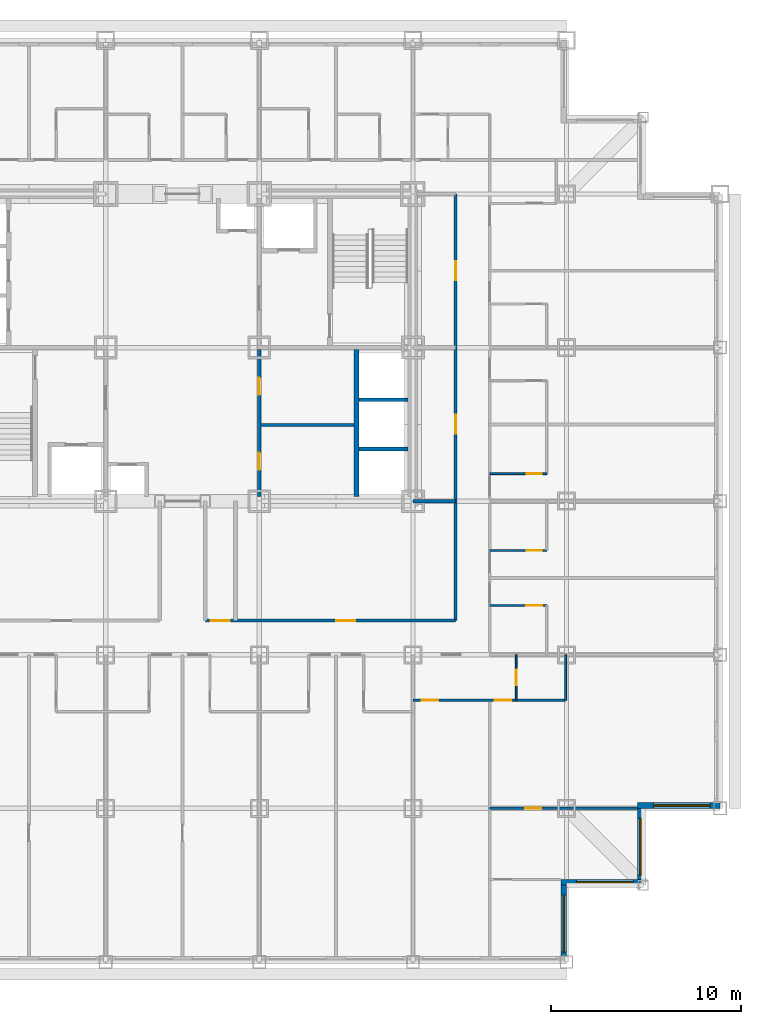
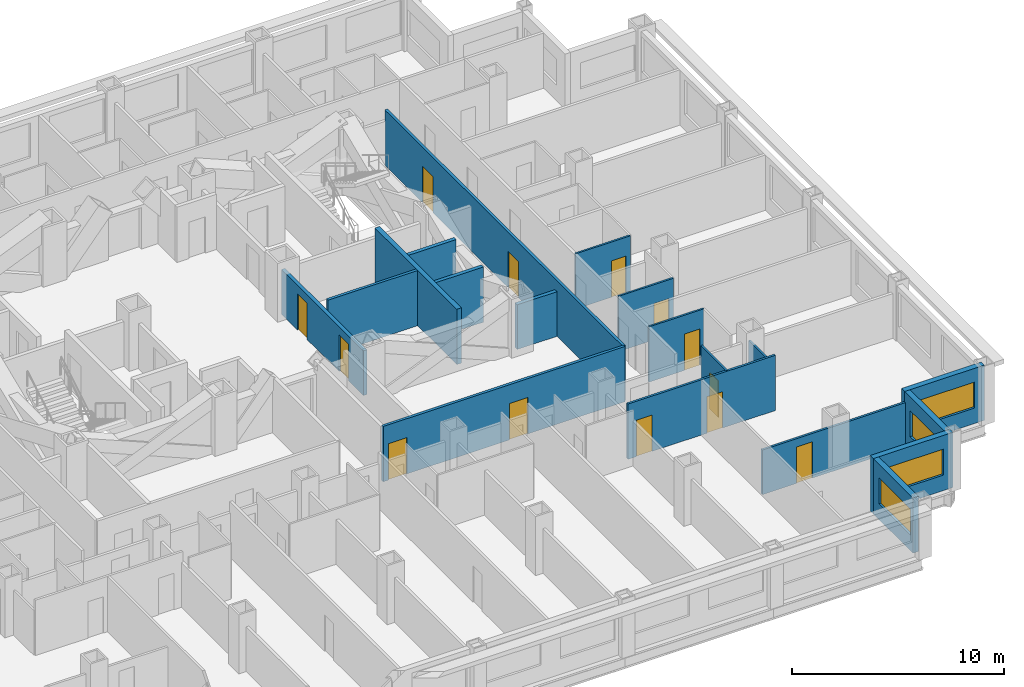
# One storey, part 6 of 11: 19 walls, 13 doors, 4 windows, 17 openings.
"""IFC4 building model written with IfcOpenShell, lengths in metres."""

from ifc_helpers import new_model, si_unit, direction, frame, frame_2d, origin, place, context, subcontext, project, spatial, rectangle, extrude, material, layer, layer_set, type_object, element, fill, save


model = new_model("IFC4")

# Units and contexts
model_context = context("Model", 3, precision=1e-05, world=origin(), true_north=direction((0.0, 1.0)))
body_context = subcontext(model_context, "Body", "Model", "MODEL_VIEW")
ifc_project = project(units=[si_unit("LENGTHUNIT", "METRE"), si_unit("AREAUNIT", "SQUARE_METRE"), si_unit("VOLUMEUNIT", "CUBIC_METRE"), si_unit("PLANEANGLEUNIT", "RADIAN"), si_unit("MASSUNIT", "GRAM", prefix="KILO")], contexts=[model_context])

# Site, building, storey
site_placement = place(None, origin())
site = spatial("IfcSite", under=ifc_project, at=site_placement, CompositionType="ELEMENT")
building_placement = place(site_placement, origin())
building = spatial("IfcBuilding", under=site, at=building_placement, Name="Kopane Lantern Tower", CompositionType="ELEMENT")
storey_placement = place(building_placement, frame((0.0, 0.0, 33.0)))
storey = spatial("IfcBuildingStorey", under=building, at=storey_placement, Name="L06", CompositionType="ELEMENT", Elevation=33.0)

# Wall, openings, doors
ifc_material_1 = material(Name="Gypsum board on steel studs", Category="steel")
ifc_layer_1 = layer(ifc_material_1, 0.1201171875)
ifc_layer_set_1 = layer_set([ifc_layer_1], Name="APARTMENT INTERNAL WALL 120")
wall_type_1 = type_object("IfcWallType", Name="APARTMENT INTERNAL WALL 120", PredefinedType="PARTITIONING", material=ifc_layer_set_1)
wall_1_placement = place(storey_placement, frame((40.5, 13.800048828125, 0.0), z_axis=(0.0, 0.0, 1.0), x_axis=(1.0, 0.0, 0.0)))
wall_1 = element("IfcWall", 1, at=wall_1_placement, inside=storey, type_object=wall_type_1, Name="Apartment Internal Wall 120 L06", PredefinedType="PARTITIONING", context=body_context, shape_type="SweptSolid", body=[
    extrude(rectangle(XDim=8.050048828125, YDim=0.1201171875, at=frame_2d((4.02490234375, 0.0))), origin(), (0.0, 0.0, 1.0), 3.18994140625),
])
opening_1_placement = place(wall_1_placement, frame((0.47509765625, 0.0, 0.0)))
opening_1 = element("IfcOpeningElement", 2, at=opening_1_placement, cuts=wall_1, Name="Opening L06-065", PredefinedType="OPENING", context=body_context, shape_type="SweptSolid", body=[
    extrude(rectangle(XDim=0.85009765625, YDim=2.10009765625, at=frame_2d((0.425048828125, 1.050048828125))), frame((0.0, 0.070068359375, 0.0), z_axis=(0.0, -1.0, 0.0), x_axis=(1.0, 0.0, 0.0)), (0.0, 0.0, 1.0), 0.14013671875),
])
opening_2_placement = place(wall_1_placement, frame((4.324951171875, 0.0, 0.0)))
opening_2 = element("IfcOpeningElement", 3, at=opening_2_placement, cuts=wall_1, Name="Opening L06-067", PredefinedType="OPENING", context=body_context, shape_type="SweptSolid", body=[
    extrude(rectangle(XDim=0.85009765625, YDim=2.10009765625, at=frame_2d((0.425048828125, 1.050048828125))), frame((0.0, 0.070068359375, 0.0), z_axis=(0.0, -1.0, 0.0), x_axis=(1.0, 0.0, 0.0)), (0.0, 0.0, 1.0), 0.14013671875),
])
ifc_material_2 = material(Name="Timber door set", Category="wood")
door_type_1 = type_object("IfcDoorType", Name="DOOR D4 850x2100", OperationType="SINGLE_SWING_LEFT", PredefinedType="DOOR", material=ifc_material_2)
door_1_placement = place(opening_1_placement, origin())
door_1 = element("IfcDoor", 4, at=door_1_placement, inside=storey, type_object=door_type_1, Name="Door L06-065", OperationType="SINGLE_SWING_LEFT", OverallHeight=2.10009765625, OverallWidth=0.85009765625, PredefinedType="DOOR", context=body_context, shape_type="SweptSolid", body=[
    extrude(rectangle(XDim=0.85009765625, YDim=2.10009765625, at=frame_2d((0.425048828125, 1.050048828125))), frame((0.0, 0.02490234375, 0.0), z_axis=(0.0, -1.0, 0.0), x_axis=(1.0, 0.0, 0.0)), (0.0, 0.0, 1.0), 0.050048828125),
])
fill(opening_1, door_1)
door_2_placement = place(opening_2_placement, origin())
door_2 = element("IfcDoor", 5, at=door_2_placement, inside=storey, type_object=door_type_1, Name="Door L06-067", OperationType="SINGLE_SWING_RIGHT", OverallHeight=2.10009765625, OverallWidth=0.85009765625, PredefinedType="DOOR", context=body_context, shape_type="SweptSolid", body=[
    extrude(rectangle(XDim=0.85009765625, YDim=2.10009765625, at=frame_2d((0.425048828125, 1.050048828125))), frame((0.0, 0.02490234375, 0.0), z_axis=(0.0, -1.0, 0.0), x_axis=(1.0, 0.0, 0.0)), (0.0, 0.0, 1.0), 0.050048828125),
])
fill(opening_2, door_2)

# Wall, opening, door
wall_2_placement = place(storey_placement, frame((44.550048828125, 8.10009765625, 0.0), z_axis=(0.0, 0.0, 1.0), x_axis=(1.0, 0.0, 0.0)))
wall_2 = element("IfcWall", 6, at=wall_2_placement, inside=storey, type_object=wall_type_1, Name="Apartment Internal Wall 120 L06", PredefinedType="PARTITIONING", context=body_context, shape_type="SweptSolid", body=[
    extrude(rectangle(XDim=7.800048828125, YDim=0.1201171875, at=frame_2d((3.89990234375, 0.0))), origin(), (0.0, 0.0, 1.0), 2.577880859375),
])
opening_3_placement = place(wall_2_placement, frame((1.875, 0.0, 0.0)))
opening_3 = element("IfcOpeningElement", 7, at=opening_3_placement, cuts=wall_2, Name="Opening L06-068", PredefinedType="OPENING", context=body_context, shape_type="SweptSolid", body=[
    extrude(rectangle(XDim=0.85009765625, YDim=2.10009765625, at=frame_2d((0.425048828125, 1.050048828125))), frame((0.0, 0.070068359375, 0.0), z_axis=(0.0, -1.0, 0.0), x_axis=(1.0, 0.0, 0.0)), (0.0, 0.0, 1.0), 0.14013671875),
])
door_3_placement = place(opening_3_placement, origin())
door_3 = element("IfcDoor", 8, at=door_3_placement, inside=storey, type_object=door_type_1, Name="Door L06-068", OperationType="SINGLE_SWING_LEFT", OverallHeight=2.10009765625, OverallWidth=0.85009765625, PredefinedType="DOOR", context=body_context, shape_type="SweptSolid", body=[
    extrude(rectangle(XDim=0.85009765625, YDim=2.10009765625, at=frame_2d((0.425048828125, 1.050048828125))), frame((0.0, 0.02490234375, 0.0), z_axis=(0.0, -1.0, 0.0), x_axis=(1.0, 0.0, 0.0)), (0.0, 0.0, 1.0), 0.050048828125),
])
fill(opening_3, door_3)

ifc_material_3 = material(Name="Moisture-resistant board on steel studs", Category="steel")
ifc_layer_2 = layer(ifc_material_3, 0.10009765625)
ifc_layer_set_2 = layer_set([ifc_layer_2], Name="BATHROOM WALL 100")
wall_type_2 = type_object("IfcWallType", Name="BATHROOM WALL 100", PredefinedType="PARTITIONING", material=ifc_layer_set_2)
wall_3_placement = place(storey_placement, frame((44.550048828125, 18.800048828125, 0.0), z_axis=(0.0, 0.0, 1.0), x_axis=(1.0, 0.0, 0.0)))
wall_3 = element("IfcWall", 9, at=wall_3_placement, inside=storey, type_object=wall_type_2, Name="Bathroom Wall 100 L06", PredefinedType="PARTITIONING", context=body_context, shape_type="SweptSolid", body=[
    extrude(rectangle(XDim=3.0, YDim=0.10009765625, at=frame_2d((1.5, 0.0))), origin(), (0.0, 0.0, 1.0), 3.18994140625),
])
opening_4_placement = place(wall_3_placement, frame((1.925048828125, 0.0, 0.0)))
opening_4 = element("IfcOpeningElement", 10, at=opening_4_placement, cuts=wall_3, Name="Opening L06-047", PredefinedType="OPENING", context=body_context, shape_type="SweptSolid", body=[
    extrude(rectangle(XDim=0.85009765625, YDim=2.10009765625, at=frame_2d((0.425048828125, 1.050048828125))), frame((0.0, 0.06005859375, 0.0), z_axis=(0.0, -1.0, 0.0), x_axis=(1.0, 0.0, 0.0)), (0.0, 0.0, 1.0), 0.1201171875),
])
door_4_placement = place(opening_4_placement, origin())
door_4 = element("IfcDoor", 11, at=door_4_placement, inside=storey, type_object=door_type_1, Name="Door L06-047", OperationType="SINGLE_SWING_LEFT", OverallHeight=2.10009765625, OverallWidth=0.85009765625, PredefinedType="DOOR", context=body_context, shape_type="SweptSolid", body=[
    extrude(rectangle(XDim=0.85009765625, YDim=2.10009765625, at=frame_2d((0.425048828125, 1.050048828125))), frame((0.0, 0.02490234375, 0.0), z_axis=(0.0, -1.0, 0.0), x_axis=(1.0, 0.0, 0.0)), (0.0, 0.0, 1.0), 0.050048828125),
])
fill(opening_4, door_4)

wall_4_placement = place(storey_placement, frame((44.550048828125, 21.699951171875, 0.0), z_axis=(0.0, 0.0, 1.0), x_axis=(1.0, 0.0, 0.0)))
wall_4 = element("IfcWall", 12, at=wall_4_placement, inside=storey, type_object=wall_type_2, Name="Bathroom Wall 100 L06", PredefinedType="PARTITIONING", context=body_context, shape_type="SweptSolid", body=[
    extrude(rectangle(XDim=3.0, YDim=0.10009765625, at=frame_2d((1.5, 0.0))), origin(), (0.0, 0.0, 1.0), 3.18994140625),
])
opening_5_placement = place(wall_4_placement, frame((1.949951171875, 0.0, 0.0)))
opening_5 = element("IfcOpeningElement", 13, at=opening_5_placement, cuts=wall_4, Name="Opening L06-049", PredefinedType="OPENING", context=body_context, shape_type="SweptSolid", body=[
    extrude(rectangle(XDim=0.800048828125, YDim=2.10009765625, at=frame_2d((0.39990234375, 1.050048828125))), frame((0.0, 0.06005859375, 0.0), z_axis=(0.0, -1.0, 0.0), x_axis=(1.0, 0.0, 0.0)), (0.0, 0.0, 1.0), 0.1201171875),
])
ifc_material_4 = material(Name="Timber door set", Category="wood")
door_type_2 = type_object("IfcDoorType", Name="DOOR D2 800x2100", OperationType="SINGLE_SWING_LEFT", PredefinedType="DOOR", material=ifc_material_4)
door_5_placement = place(opening_5_placement, origin())
door_5 = element("IfcDoor", 14, at=door_5_placement, inside=storey, type_object=door_type_2, Name="Door L06-049", OperationType="SINGLE_SWING_RIGHT", OverallHeight=2.10009765625, OverallWidth=0.800048828125, PredefinedType="DOOR", context=body_context, shape_type="SweptSolid", body=[
    extrude(rectangle(XDim=0.800048828125, YDim=2.10009765625, at=frame_2d((0.39990234375, 1.050048828125))), frame((0.0, 0.02490234375, 0.0), z_axis=(0.0, -1.0, 0.0), x_axis=(1.0, 0.0, 0.0)), (0.0, 0.0, 1.0), 0.050048828125),
])
fill(opening_5, door_5)

wall_5_placement = place(storey_placement, frame((44.550048828125, 25.75, 0.0), z_axis=(0.0, 0.0, 1.0), x_axis=(1.0, 0.0, 0.0)))
wall_5 = element("IfcWall", 15, at=wall_5_placement, inside=storey, type_object=wall_type_2, Name="Bathroom Wall 100 L06", PredefinedType="PARTITIONING", context=body_context, shape_type="SweptSolid", body=[
    extrude(rectangle(XDim=3.0, YDim=0.10009765625, at=frame_2d((1.5, 0.0))), origin(), (0.0, 0.0, 1.0), 3.18994140625),
])
opening_6_placement = place(wall_5_placement, frame((1.949951171875, 0.0, 0.0)))
opening_6 = element("IfcOpeningElement", 16, at=opening_6_placement, cuts=wall_5, Name="Opening L06-051", PredefinedType="OPENING", context=body_context, shape_type="SweptSolid", body=[
    extrude(rectangle(XDim=0.800048828125, YDim=2.10009765625, at=frame_2d((0.39990234375, 1.050048828125))), frame((0.0, 0.06005859375, 0.0), z_axis=(0.0, -1.0, 0.0), x_axis=(1.0, 0.0, 0.0)), (0.0, 0.0, 1.0), 0.1201171875),
])
door_6_placement = place(opening_6_placement, origin())
door_6 = element("IfcDoor", 17, at=door_6_placement, inside=storey, type_object=door_type_2, Name="Door L06-051", OperationType="SINGLE_SWING_RIGHT", OverallHeight=2.10009765625, OverallWidth=0.800048828125, PredefinedType="DOOR", context=body_context, shape_type="SweptSolid", body=[
    extrude(rectangle(XDim=0.800048828125, YDim=2.10009765625, at=frame_2d((0.39990234375, 1.050048828125))), frame((0.0, 0.02490234375, 0.0), z_axis=(0.0, -1.0, 0.0), x_axis=(1.0, 0.0, 0.0)), (0.0, 0.0, 1.0), 0.050048828125),
])
fill(opening_6, door_6)

wall_6_placement = place(storey_placement, frame((45.949951171875, 16.199951171875, 0.0), z_axis=(0.0, 0.0, 1.0), x_axis=(0.0, -1.0, 0.0)))
wall_6 = element("IfcWall", 18, at=wall_6_placement, inside=storey, type_object=wall_type_2, Name="Bathroom Wall 100 L06", PredefinedType="PARTITIONING", context=body_context, shape_type="SweptSolid", body=[
    extrude(rectangle(XDim=2.39990234375, YDim=0.10009765625, at=frame_2d((1.199951171875, 0.0))), origin(), (0.0, 0.0, 1.0), 3.18994140625),
])
opening_7_placement = place(wall_6_placement, frame((0.800048828125, 0.0, 0.0)))
opening_7 = element("IfcOpeningElement", 19, at=opening_7_placement, cuts=wall_6, Name="Opening L06-066", PredefinedType="OPENING", context=body_context, shape_type="SweptSolid", body=[
    extrude(rectangle(XDim=0.800048828125, YDim=2.10009765625, at=frame_2d((0.39990234375, 1.050048828125))), frame((0.0, 0.06005859375, 0.0), z_axis=(0.0, -1.0, 0.0), x_axis=(1.0, 0.0, 0.0)), (0.0, 0.0, 1.0), 0.1201171875),
])
door_7_placement = place(opening_7_placement, origin())
door_7 = element("IfcDoor", 20, at=door_7_placement, inside=storey, type_object=door_type_2, Name="Door L06-066", OperationType="SINGLE_SWING_LEFT", OverallHeight=2.10009765625, OverallWidth=0.800048828125, PredefinedType="DOOR", context=body_context, shape_type="SweptSolid", body=[
    extrude(rectangle(XDim=0.800048828125, YDim=2.10009765625, at=frame_2d((0.39990234375, 1.050048828125))), frame((0.0, 0.02490234375, 0.0), z_axis=(0.0, -1.0, 0.0), x_axis=(1.0, 0.0, 0.0)), (0.0, 0.0, 1.0), 0.050048828125),
])
fill(opening_7, door_7)

# Walls
wall_7_placement = place(storey_placement, frame((48.550048828125, 16.199951171875, 0.0), z_axis=(0.0, 0.0, 1.0), x_axis=(0.0, -1.0, 0.0)))
element("IfcWall", 21, at=wall_7_placement, inside=storey, type_object=wall_type_2, Name="Bathroom Wall 100 L06", PredefinedType="PARTITIONING", context=body_context, shape_type="SweptSolid", body=[
    extrude(rectangle(XDim=2.39990234375, YDim=0.10009765625, at=frame_2d((1.199951171875, 0.0))), origin(), (0.0, 0.0, 1.0), 2.577880859375),
])
ifc_material_5 = material(Name="Gypsum partition EI 60", Category="gypsum")
ifc_layer_3 = layer(ifc_material_5, 0.14990234375)
ifc_layer_set_3 = layer_set([ifc_layer_3], Name="CORE ROOM PARTITION 150 EI 60")
wall_type_3 = type_object("IfcWallType", Name="CORE ROOM PARTITION 150 EI 60", PredefinedType="PARTITIONING", material=ifc_layer_set_3)
wall_8_placement = place(storey_placement, frame((32.5, 28.324951171875, 0.0), z_axis=(0.0, 0.0, 1.0), x_axis=(1.0, 0.0, 0.0)))
element("IfcWall", 22, at=wall_8_placement, inside=storey, type_object=wall_type_3, Name="Core room partition L06 E1", PredefinedType="PARTITIONING", context=body_context, shape_type="SweptSolid", body=[
    extrude(rectangle(XDim=4.89990234375, YDim=0.14990234375, at=frame_2d((2.449951171875, 0.0))), origin(), (0.0, 0.0, 1.0), 3.18994140625),
])

# Wall, openings, doors
ifc_material_6 = material(Name="Gypsum partition EI 60", Category="gypsum")
ifc_layer_4 = layer(ifc_material_6, 0.199951171875)
ifc_layer_set_4 = layer_set([ifc_layer_4], Name="CORE ROOM WALL 200 EI 60")
wall_type_4 = type_object("IfcWallType", Name="CORE ROOM WALL 200 EI 60", PredefinedType="PARTITIONING", material=ifc_layer_set_4)
wall_9_placement = place(storey_placement, frame((32.39990234375, 24.550048828125, 0.0), z_axis=(0.0, 0.0, 1.0), x_axis=(0.0, 1.0, 0.0)))
wall_9 = element("IfcWall", 23, at=wall_9_placement, inside=storey, type_object=wall_type_4, Name="Core room wall L06 XE", PredefinedType="PARTITIONING", context=body_context, shape_type="SweptSolid", body=[
    extrude(rectangle(XDim=7.75, YDim=0.199951171875, at=frame_2d((3.875, 0.0))), origin(), (0.0, 0.0, 1.0), 2.577880859375),
])
opening_8_placement = place(wall_9_placement, frame((1.39990234375, 0.0, 0.0)))
opening_8 = element("IfcOpeningElement", 24, at=opening_8_placement, cuts=wall_9, Name="Opening 06.C20", PredefinedType="OPENING", context=body_context, shape_type="SweptSolid", body=[
    extrude(rectangle(XDim=0.89990234375, YDim=2.10009765625, at=frame_2d((0.449951171875, 1.050048828125))), frame((0.0, 0.10986328125, 0.0), z_axis=(0.0, -1.0, 0.0), x_axis=(1.0, 0.0, 0.0)), (0.0, 0.0, 1.0), 0.219970703125),
])
opening_9_placement = place(wall_9_placement, frame((5.35009765625, 0.0, 0.0)))
opening_9 = element("IfcOpeningElement", 25, at=opening_9_placement, cuts=wall_9, Name="Opening 06.C21", PredefinedType="OPENING", context=body_context, shape_type="SweptSolid", body=[
    extrude(rectangle(XDim=0.89990234375, YDim=2.10009765625, at=frame_2d((0.449951171875, 1.050048828125))), frame((0.0, 0.10986328125, 0.0), z_axis=(0.0, -1.0, 0.0), x_axis=(1.0, 0.0, 0.0)), (0.0, 0.0, 1.0), 0.219970703125),
])
ifc_material_7 = material(Name="Steel door set", Category="steel")
door_type_3 = type_object("IfcDoorType", Name="CORE ROOM DOOR 900x2100 FD60", OperationType="SINGLE_SWING_LEFT", PredefinedType="DOOR", material=ifc_material_7)
door_8_placement = place(opening_8_placement, origin())
door_8 = element("IfcDoor", 26, at=door_8_placement, inside=storey, type_object=door_type_3, Name="Door Linen store L06", OperationType="SINGLE_SWING_LEFT", OverallHeight=2.10009765625, OverallWidth=0.89990234375, PredefinedType="DOOR", context=body_context, shape_type="SweptSolid", body=[
    extrude(rectangle(XDim=0.89990234375, YDim=2.10009765625, at=frame_2d((0.449951171875, 1.050048828125))), frame((0.0, 0.02490234375, 0.0), z_axis=(0.0, -1.0, 0.0), x_axis=(1.0, 0.0, 0.0)), (0.0, 0.0, 1.0), 0.050048828125),
])
fill(opening_8, door_8)
door_9_placement = place(opening_9_placement, origin())
door_9 = element("IfcDoor", 27, at=door_9_placement, inside=storey, type_object=door_type_3, Name="Door Housekeeping store L06", OperationType="SINGLE_SWING_LEFT", OverallHeight=2.10009765625, OverallWidth=0.89990234375, PredefinedType="DOOR", context=body_context, shape_type="SweptSolid", body=[
    extrude(rectangle(XDim=0.89990234375, YDim=2.10009765625, at=frame_2d((0.449951171875, 1.050048828125))), frame((0.0, 0.02490234375, 0.0), z_axis=(0.0, -1.0, 0.0), x_axis=(1.0, 0.0, 0.0)), (0.0, 0.0, 1.0), 0.050048828125),
])
fill(opening_9, door_9)

# Wall
ifc_material_8 = material(Name="Gypsum shaft wall EI 120", Category="gypsum")
ifc_layer_5 = layer(ifc_material_8, 0.25)
ifc_layer_set_5 = layer_set([ifc_layer_5], Name="CORE SHAFT WALL 250 EI 120")
wall_type_5 = type_object("IfcWallType", Name="CORE SHAFT WALL 250 EI 120", PredefinedType="SOLIDWALL", material=ifc_layer_set_5)
wall_10_placement = place(storey_placement, frame((37.52490234375, 24.550048828125, 0.0), z_axis=(0.0, 0.0, 1.0), x_axis=(0.0, 1.0, 0.0)))
element("IfcWall", 28, at=wall_10_placement, inside=storey, type_object=wall_type_5, Name="Core shaft wall L06 XLR", PredefinedType="SOLIDWALL", context=body_context, shape_type="SweptSolid", body=[
    extrude(rectangle(XDim=7.75, YDim=0.25, at=frame_2d((3.875, 0.0))), origin(), (0.0, 0.0, 1.0), 3.18994140625),
])

# Wall, openings, doors
ifc_material_9 = material(Name="Gypsum board on steel studs", Category="steel")
ifc_layer_6 = layer(ifc_material_9, 0.14990234375)
ifc_layer_set_6 = layer_set([ifc_layer_6], Name="CORRIDOR WALL 150 EI 60")
wall_type_6 = type_object("IfcWallType", Name="CORRIDOR WALL 150 EI 60", PredefinedType="PARTITIONING", material=ifc_layer_set_6)
wall_11_placement = place(storey_placement, frame((42.75, 18.0, 0.0), z_axis=(0.0, 0.0, 1.0), x_axis=(0.0, 1.0, 0.0)))
wall_11 = element("IfcWall", 29, at=wall_11_placement, inside=storey, type_object=wall_type_6, Name="Corridor Wall 150 Ei 60 L06", PredefinedType="PARTITIONING", context=body_context, shape_type="SweptSolid", body=[
    extrude(rectangle(XDim=22.5, YDim=0.14990234375, at=frame_2d((11.25, 0.0))), origin(), (0.0, 0.0, 1.0), 3.18994140625),
])
opening_10_placement = place(wall_11_placement, frame((9.85009765625, 0.0, 0.0)))
opening_10 = element("IfcOpeningElement", 30, at=opening_10_placement, cuts=wall_11, Name="Opening L06-003", PredefinedType="OPENING", context=body_context, shape_type="SweptSolid", body=[
    extrude(rectangle(XDim=1.0, YDim=2.10009765625, at=frame_2d((0.5, 1.050048828125))), frame((0.0, 0.0849609375, 0.0), z_axis=(0.0, -1.0, 0.0), x_axis=(1.0, 0.0, 0.0)), (0.0, 0.0, 1.0), 0.169921875),
])
opening_11_placement = place(wall_11_placement, frame((17.949951171875, 0.0, 0.0)))
opening_11 = element("IfcOpeningElement", 31, at=opening_11_placement, cuts=wall_11, Name="Opening L06-004", PredefinedType="OPENING", context=body_context, shape_type="SweptSolid", body=[
    extrude(rectangle(XDim=1.0, YDim=2.10009765625, at=frame_2d((0.5, 1.050048828125))), frame((0.0, 0.0849609375, 0.0), z_axis=(0.0, -1.0, 0.0), x_axis=(1.0, 0.0, 0.0)), (0.0, 0.0, 1.0), 0.169921875),
])
ifc_material_10 = material(Name="Steel door set", Category="steel")
door_type_4 = type_object("IfcDoorType", Name="DOOR D5 1000x2100 FD60", OperationType="SINGLE_SWING_LEFT", PredefinedType="DOOR", material=ifc_material_10)
door_10_placement = place(opening_10_placement, origin())
door_10 = element("IfcDoor", 32, at=door_10_placement, inside=storey, type_object=door_type_4, Name="Door L06-003", OperationType="SINGLE_SWING_LEFT", OverallHeight=2.10009765625, OverallWidth=1.0, PredefinedType="DOOR", context=body_context, shape_type="SweptSolid", body=[
    extrude(rectangle(XDim=1.0, YDim=2.10009765625, at=frame_2d((0.5, 1.050048828125))), frame((0.0, 0.02490234375, 0.0), z_axis=(0.0, -1.0, 0.0), x_axis=(1.0, 0.0, 0.0)), (0.0, 0.0, 1.0), 0.050048828125),
])
fill(opening_10, door_10)
door_11_placement = place(opening_11_placement, origin())
door_11 = element("IfcDoor", 33, at=door_11_placement, inside=storey, type_object=door_type_4, Name="Door L06-004", OperationType="SINGLE_SWING_RIGHT", OverallHeight=2.10009765625, OverallWidth=1.0, PredefinedType="DOOR", context=body_context, shape_type="SweptSolid", body=[
    extrude(rectangle(XDim=1.0, YDim=2.10009765625, at=frame_2d((0.5, 1.050048828125))), frame((0.0, 0.02490234375, 0.0), z_axis=(0.0, -1.0, 0.0), x_axis=(1.0, 0.0, 0.0)), (0.0, 0.0, 1.0), 0.050048828125),
])
fill(opening_11, door_11)

wall_12_placement = place(storey_placement, frame((29.56005859375, 18.0, 0.0), z_axis=(0.0, 0.0, 1.0), x_axis=(1.0, 0.0, 0.0)))
wall_12 = element("IfcWall", 34, at=wall_12_placement, inside=storey, type_object=wall_type_6, Name="Corridor Wall 150 Ei 60 L06", PredefinedType="PARTITIONING", context=body_context, shape_type="SweptSolid", body=[
    extrude(rectangle(XDim=13.18994140625, YDim=0.14990234375, at=frame_2d((6.594970703125, 0.0))), origin(), (0.0, 0.0, 1.0), 3.18994140625),
])
opening_12_placement = place(wall_12_placement, frame((0.2900390625, 0.0, 0.0)))
opening_12 = element("IfcOpeningElement", 35, at=opening_12_placement, cuts=wall_12, Name="Opening L06-007", PredefinedType="OPENING", context=body_context, shape_type="SweptSolid", body=[
    extrude(rectangle(XDim=1.0, YDim=2.10009765625, at=frame_2d((0.5, 1.050048828125))), frame((0.0, 0.0849609375, 0.0), z_axis=(0.0, -1.0, 0.0), x_axis=(1.0, 0.0, 0.0)), (0.0, 0.0, 1.0), 0.169921875),
])
opening_13_placement = place(wall_12_placement, frame((6.889892578125, 0.0, 0.0)))
opening_13 = element("IfcOpeningElement", 36, at=opening_13_placement, cuts=wall_12, Name="Opening L06-008", PredefinedType="OPENING", context=body_context, shape_type="SweptSolid", body=[
    extrude(rectangle(XDim=1.0, YDim=2.10009765625, at=frame_2d((0.5, 1.050048828125))), frame((0.0, 0.0849609375, 0.0), z_axis=(0.0, -1.0, 0.0), x_axis=(1.0, 0.0, 0.0)), (0.0, 0.0, 1.0), 0.169921875),
])
door_12_placement = place(opening_12_placement, origin())
door_12 = element("IfcDoor", 37, at=door_12_placement, inside=storey, type_object=door_type_4, Name="Door L06-007", OperationType="SINGLE_SWING_LEFT", OverallHeight=2.10009765625, OverallWidth=1.0, PredefinedType="DOOR", context=body_context, shape_type="SweptSolid", body=[
    extrude(rectangle(XDim=1.0, YDim=2.10009765625, at=frame_2d((0.5, 1.050048828125))), frame((0.0, 0.02490234375, 0.0), z_axis=(0.0, -1.0, 0.0), x_axis=(1.0, 0.0, 0.0)), (0.0, 0.0, 1.0), 0.050048828125),
])
fill(opening_12, door_12)
door_13_placement = place(opening_13_placement, origin())
door_13 = element("IfcDoor", 38, at=door_13_placement, inside=storey, type_object=door_type_4, Name="Door L06-008", OperationType="SINGLE_SWING_RIGHT", OverallHeight=2.10009765625, OverallWidth=1.0, PredefinedType="DOOR", context=body_context, shape_type="SweptSolid", body=[
    extrude(rectangle(XDim=1.0, YDim=2.10009765625, at=frame_2d((0.5, 1.050048828125))), frame((0.0, 0.02490234375, 0.0), z_axis=(0.0, -1.0, 0.0), x_axis=(1.0, 0.0, 0.0)), (0.0, 0.0, 1.0), 0.050048828125),
])
fill(opening_13, door_13)

# Wall, opening, window
ifc_material_11 = material(Name="Terracotta rainscreen on light steel framing", Category="masonry")
ifc_layer_7 = layer(ifc_material_11, 0.300048828125)
ifc_layer_set_7 = layer_set([ifc_layer_7], Name="EXTERNAL WALL EW1 300 TERRACOTTA")
wall_type_7 = type_object("IfcWallType", Name="EXTERNAL WALL EW1 300 TERRACOTTA", PredefinedType="SOLIDWALL", material=ifc_layer_set_7)
wall_13_placement = place(storey_placement, frame((48.449951171875, 0.300048828125, 0.0), z_axis=(0.0, 0.0, 1.0), x_axis=(0.0, 1.0, 0.0)))
wall_13 = element("IfcWall", 39, at=wall_13_placement, inside=storey, type_object=wall_type_7, Name="External wall E L06", PredefinedType="SOLIDWALL", context=body_context, shape_type="SweptSolid", body=[
    extrude(rectangle(XDim=3.75, YDim=0.300048828125, at=frame_2d((1.875, 0.0))), origin(), (0.0, 0.0, 1.0), 3.18994140625),
])
opening_14_placement = place(wall_13_placement, frame((0.22509765625, 0.0, 0.89990234375)))
opening_14 = element("IfcOpeningElement", 40, at=opening_14_placement, cuts=wall_13, Name="Opening WR300150", PredefinedType="OPENING", context=body_context, shape_type="SweptSolid", body=[
    extrude(rectangle(XDim=3.0, YDim=1.5, at=frame_2d((1.5, 0.75))), frame((0.0, 0.159912109375, 0.0), z_axis=(0.0, -1.0, 0.0), x_axis=(1.0, 0.0, 0.0)), (0.0, 0.0, 1.0), 0.320068359375),
])
ifc_material_12 = material(Name="Aluminium and clear glass", Category="aluminium")
window_type = type_object("IfcWindowType", Name="RIBBON WINDOW WR300150 3000x1500", PartitioningType="SINGLE_PANEL", PredefinedType="WINDOW", material=ifc_material_12)
window_1_placement = place(opening_14_placement, origin())
window_1 = element("IfcWindow", 41, at=window_1_placement, inside=storey, type_object=window_type, Name="Window E L06", OverallHeight=1.5, OverallWidth=3.0, PartitioningType="SINGLE_PANEL", PredefinedType="WINDOW", context=body_context, shape_type="SweptSolid", body=[
    extrude(rectangle(XDim=3.0, YDim=1.5, at=frame_2d((1.5, 0.75))), frame((0.0, 0.030029296875, 0.0), z_axis=(0.0, -1.0, 0.0), x_axis=(1.0, 0.0, 0.0)), (0.0, 0.0, 1.0), 0.06005859375),
])
fill(opening_14, window_1)

wall_14_placement = place(storey_placement, frame((48.300048828125, 4.199951171875, 0.0), z_axis=(0.0, 0.0, 1.0), x_axis=(1.0, 0.0, 0.0)))
wall_14 = element("IfcWall", 42, at=wall_14_placement, inside=storey, type_object=wall_type_7, Name="External wall S L06", PredefinedType="SOLIDWALL", context=body_context, shape_type="SweptSolid", body=[
    extrude(rectangle(XDim=4.349853515625, YDim=0.300048828125, at=frame_2d((2.1748046875, 0.0))), origin(), (0.0, 0.0, 1.0), 3.18994140625),
])
opening_15_placement = place(wall_14_placement, frame((0.824951171875, 0.0, 0.89990234375)))
opening_15 = element("IfcOpeningElement", 43, at=opening_15_placement, cuts=wall_14, Name="Opening WR300150", PredefinedType="OPENING", context=body_context, shape_type="SweptSolid", body=[
    extrude(rectangle(XDim=3.0, YDim=1.5, at=frame_2d((1.5, 0.75))), frame((0.0, 0.159912109375, 0.0), z_axis=(0.0, -1.0, 0.0), x_axis=(1.0, 0.0, 0.0)), (0.0, 0.0, 1.0), 0.320068359375),
])
window_2_placement = place(opening_15_placement, origin())
window_2 = element("IfcWindow", 44, at=window_2_placement, inside=storey, type_object=window_type, Name="Window S L06", OverallHeight=1.5, OverallWidth=3.0, PartitioningType="SINGLE_PANEL", PredefinedType="WINDOW", context=body_context, shape_type="SweptSolid", body=[
    extrude(rectangle(XDim=3.0, YDim=1.5, at=frame_2d((1.5, 0.75))), frame((0.0, 0.030029296875, 0.0), z_axis=(0.0, -1.0, 0.0), x_axis=(1.0, 0.0, 0.0)), (0.0, 0.0, 1.0), 0.06005859375),
])
fill(opening_15, window_2)

wall_15_placement = place(storey_placement, frame((52.5, 4.35009765625, 0.0), z_axis=(0.0, 0.0, 1.0), x_axis=(0.0, 1.0, 0.0)))
wall_15 = element("IfcWall", 45, at=wall_15_placement, inside=storey, type_object=wall_type_7, Name="External wall E L06", PredefinedType="SOLIDWALL", context=body_context, shape_type="SweptSolid", body=[
    extrude(rectangle(XDim=3.75, YDim=0.300048828125, at=frame_2d((1.875, 0.0))), origin(), (0.0, 0.0, 1.0), 3.18994140625),
])
opening_16_placement = place(wall_15_placement, frame((0.22509765625, 0.0, 0.89990234375)))
opening_16 = element("IfcOpeningElement", 46, at=opening_16_placement, cuts=wall_15, Name="Opening WR300150", PredefinedType="OPENING", context=body_context, shape_type="SweptSolid", body=[
    extrude(rectangle(XDim=3.0, YDim=1.5, at=frame_2d((1.5, 0.75))), frame((0.0, 0.159912109375, 0.0), z_axis=(0.0, -1.0, 0.0), x_axis=(1.0, 0.0, 0.0)), (0.0, 0.0, 1.0), 0.320068359375),
])
window_3_placement = place(opening_16_placement, origin())
window_3 = element("IfcWindow", 47, at=window_3_placement, inside=storey, type_object=window_type, Name="Window E L06", OverallHeight=1.5, OverallWidth=3.0, PartitioningType="SINGLE_PANEL", PredefinedType="WINDOW", context=body_context, shape_type="SweptSolid", body=[
    extrude(rectangle(XDim=3.0, YDim=1.5, at=frame_2d((1.5, 0.75))), frame((0.0, 0.030029296875, 0.0), z_axis=(0.0, -1.0, 0.0), x_axis=(1.0, 0.0, 0.0)), (0.0, 0.0, 1.0), 0.06005859375),
])
fill(opening_16, window_3)

wall_16_placement = place(storey_placement, frame((52.35009765625, 8.25, 0.0), z_axis=(0.0, 0.0, 1.0), x_axis=(1.0, 0.0, 0.0)))
wall_16 = element("IfcWall", 48, at=wall_16_placement, inside=storey, type_object=wall_type_7, Name="External wall S L06", PredefinedType="SOLIDWALL", context=body_context, shape_type="SweptSolid", body=[
    extrude(rectangle(XDim=4.349853515625, YDim=0.300048828125, at=frame_2d((2.1748046875, 0.0))), origin(), (0.0, 0.0, 1.0), 3.18994140625),
])
opening_17_placement = place(wall_16_placement, frame((0.824951171875, 0.0, 0.89990234375)))
opening_17 = element("IfcOpeningElement", 49, at=opening_17_placement, cuts=wall_16, Name="Opening WR300150", PredefinedType="OPENING", context=body_context, shape_type="SweptSolid", body=[
    extrude(rectangle(XDim=3.0, YDim=1.5, at=frame_2d((1.5, 0.75))), frame((0.0, 0.159912109375, 0.0), z_axis=(0.0, -1.0, 0.0), x_axis=(1.0, 0.0, 0.0)), (0.0, 0.0, 1.0), 0.320068359375),
])
window_4_placement = place(opening_17_placement, origin())
window_4 = element("IfcWindow", 50, at=window_4_placement, inside=storey, type_object=window_type, Name="Window S L06", OverallHeight=1.5, OverallWidth=3.0, PartitioningType="SINGLE_PANEL", PredefinedType="WINDOW", context=body_context, shape_type="SweptSolid", body=[
    extrude(rectangle(XDim=3.0, YDim=1.5, at=frame_2d((1.5, 0.75))), frame((0.0, 0.030029296875, 0.0), z_axis=(0.0, -1.0, 0.0), x_axis=(1.0, 0.0, 0.0)), (0.0, 0.0, 1.0), 0.06005859375),
])
fill(opening_17, window_4)

# Walls
ifc_material_13 = material(Name="Concrete masonry", Category="masonry")
ifc_layer_8 = layer(ifc_material_13, 0.199951171875)
ifc_layer_set_8 = layer_set([ifc_layer_8], Name="PLANT ROOM WALL 200 EI 120")
wall_type_8 = type_object("IfcWallType", Name="PLANT ROOM WALL 200 EI 120", PredefinedType="SOLIDWALL", material=ifc_layer_set_8)
wall_17_placement = place(storey_placement, frame((40.5, 24.300048828125, 0.0), z_axis=(0.0, 0.0, 1.0), x_axis=(1.0, 0.0, 0.0)))
element("IfcWall", 51, at=wall_17_placement, inside=storey, type_object=wall_type_8, Name="Plant Room Wall 200 Ei 120 L06", PredefinedType="SOLIDWALL", context=body_context, shape_type="SweptSolid", body=[
    extrude(rectangle(XDim=2.25, YDim=0.199951171875, at=frame_2d((1.125, 0.0))), origin(), (0.0, 0.0, 1.0), 2.577880859375),
])
ifc_material_14 = material(Name="Gypsum shaft wall EI 120", Category="gypsum")
ifc_layer_9 = layer(ifc_material_14, 0.199951171875)
ifc_layer_set_9 = layer_set([ifc_layer_9], Name="SHAFT WALL 200 EI 120")
wall_type_9 = type_object("IfcWallType", Name="SHAFT WALL 200 EI 120", PredefinedType="SOLIDWALL", material=ifc_layer_set_9)
for number, where, z_axis, x_axis, name in (
    (52, (37.64990234375, 27.050048828125, 0.0), (0.0, 0.0, 1.0), (1.0, 0.0, 0.0), "Core shaft wall L06 YLR12"),
    (53, (37.64990234375, 29.64990234375, 0.0), (0.0, 0.0, 1.0), (1.0, 0.0, 0.0), "Core shaft wall L06 YLR23"),
):
    element("IfcWall", number, at=place(storey_placement, frame(where, z_axis=z_axis, x_axis=x_axis)), inside=storey, type_object=wall_type_9, Name=name, PredefinedType="SOLIDWALL", context=body_context, shape_type="SweptSolid", body=[
        extrude(rectangle(XDim=2.60009765625, YDim=0.199951171875, at=frame_2d((1.300048828125, 0.0))), origin(), (0.0, 0.0, 1.0), 3.18994140625),
    ])

save(model, "model.ifc")
